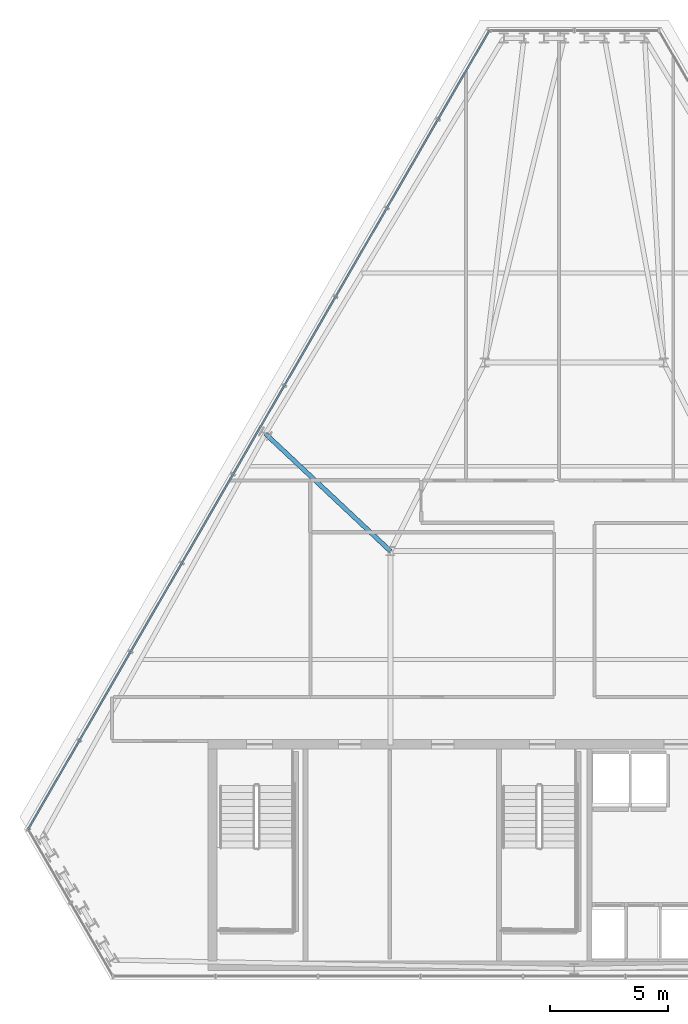
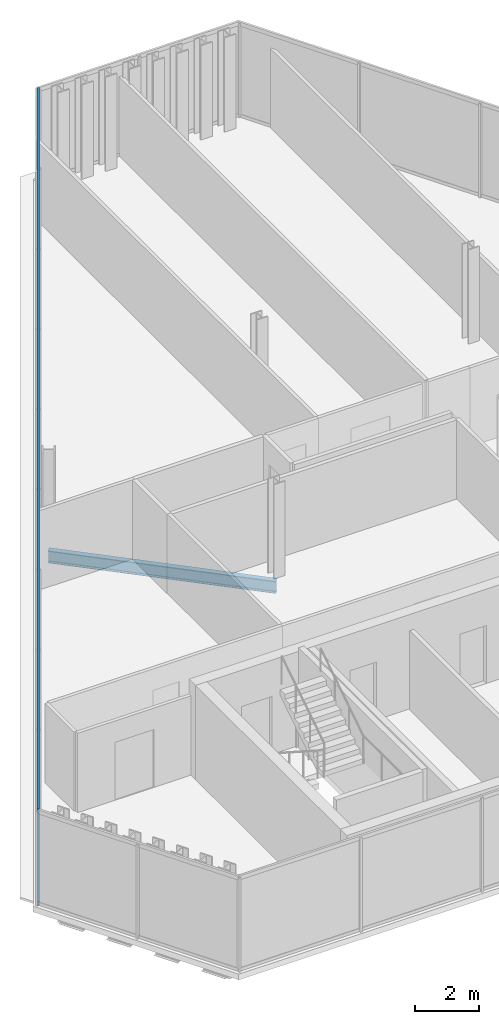
# One storey, part 11 of 29: 2 members, 1 beam, 1 element without a shape of its own.
"""IFC4 building model written with IfcOpenShell, lengths in metres."""

from ifc_helpers import new_model, si_unit, direction, frame, origin, origin_2d, place, context, subcontext, project, spatial, hollow_rectangle, i_section, extrude, material, layer, layer_set, material_profile, profile_set, type_object, element, aggregate, save


model = new_model("IFC4")

# Units and contexts
model_context = context("Model", 3, precision=1e-05, world=origin(), true_north=direction((0.0, 1.0)))
body_context = subcontext(model_context, "Body", "Model", "MODEL_VIEW")
ifc_project = project(units=[si_unit("LENGTHUNIT", "METRE"), si_unit("AREAUNIT", "SQUARE_METRE"), si_unit("VOLUMEUNIT", "CUBIC_METRE"), si_unit("PLANEANGLEUNIT", "RADIAN"), si_unit("MASSUNIT", "GRAM", prefix="KILO")], contexts=[model_context])

# Site, building, storey
site_placement = place(None, origin())
site = spatial("IfcSite", under=ifc_project, at=site_placement, CompositionType="ELEMENT")
building_placement = place(site_placement, origin())
building = spatial("IfcBuilding", under=site, at=building_placement, Name="Ndaravel Arena Tower", CompositionType="ELEMENT")
storey_placement = place(building_placement, frame((0.0, 0.0, 229.39990234375)))
storey = spatial("IfcBuildingStorey", under=building, at=storey_placement, Name="L55", CompositionType="ELEMENT", Elevation=229.39990234375)

# Beam
ifc_material_1 = material(Name="Steel S355", Category="steel")
ifc_material_profile_1 = material_profile(ifc_material_1, i_section(OverallWidth=0.19140625, OverallDepth=0.4599609375, WebThickness=0.010009765625, FlangeThickness=0.01611328125, FilletRadius=0.01025390625, at=origin_2d()), Name="UB 457x191x82")
ifc_profile_set_1 = profile_set([ifc_material_profile_1], Name="Steel S355")
beam_type = type_object("IfcBeamType", Name="BM-GIRD-UB457", PredefinedType="BEAM", material=ifc_profile_set_1)
beam_placement = place(storey_placement, frame((28.89306640625, 28.181884765625, -0.449951171875), z_axis=(0.729075765439, -0.684432997633, 0.0), x_axis=(0.684432997633, 0.729075765439, 0.0)))
element("IfcBeam", 1, at=beam_placement, inside=storey, type_object=beam_type, Name="L55 Radial Floor Girder FG-19", PredefinedType="BEAM", context=body_context, shape_type="SweptSolid", body=[
    extrude(i_section(OverallWidth=0.19140625, OverallDepth=0.4599609375, WebThickness=0.010009765625, FlangeThickness=0.01611328125, FilletRadius=0.01025390625, at=origin_2d()), origin(), (0.0, 0.0, 1.0), 7.27880859375),
])

# Curtain wall, members
ifc_material_2 = material(Name="Aluminium", Category="aluminium")
ifc_layer = layer(ifc_material_2, 0.179931640625)
ifc_layer_set = layer_set([ifc_layer], Name="Aluminium")
curtain_wall_type = type_object("IfcCurtainWallType", Name="CW-SYS-03", PredefinedType="NOTDEFINED", material=ifc_layer_set)
curtain_wall_placement = place(storey_placement, origin())
curtain_wall = element("IfcCurtainWall", 2, at=curtain_wall_placement, inside=storey, type_object=curtain_wall_type, Name="L55 Faceted Crystal Curtain Wall CW-L55-E05", PredefinedType="NOTDEFINED")
ifc_material_3 = material(Name="Aluminium", Category="aluminium")
ifc_material_profile_2 = material_profile(ifc_material_3, hollow_rectangle(XDim=0.074951171875, YDim=0.14990234375, WallThickness=0.00390625, at=origin_2d()), Name="CW TRANSOM 75x150x4")
ifc_profile_set_2 = profile_set([ifc_material_profile_2], Name="Aluminium")
member_type = type_object("IfcMemberType", Name="MEM-CW-TRN150", PredefinedType="USERDEFINED", material=ifc_profile_set_2)
member_1_placement = place(storey_placement, frame((38.400390625, 45.288818359375, 0.0400390625), z_axis=(-0.500000184703, -0.866025297146, 0.0), x_axis=(0.866025297146, -0.500000184703, 0.0)))
member_1 = element("IfcMember", 3, at=member_1_placement, type_object=member_type, Name="CW-L55-E05 Transom 01", ObjectType="TRANSOM", PredefinedType="USERDEFINED", context=body_context, shape_type="SweptSolid", body=[
    extrude(hollow_rectangle(XDim=0.074951171875, YDim=0.14990234375, WallThickness=0.00390625, at=origin_2d()), origin(), (0.0, 0.0, 1.0), 39.13720703125),
])
member_2_placement = place(storey_placement, frame((38.400390625, 45.288818359375, 3.5400390625), z_axis=(-0.500000184703, -0.866025297146, 0.0), x_axis=(0.866025297146, -0.500000184703, 0.0)))
member_2 = element("IfcMember", 4, at=member_2_placement, type_object=member_type, Name="CW-L55-E05 Transom 02", ObjectType="TRANSOM", PredefinedType="USERDEFINED", context=body_context, shape_type="SweptSolid", body=[
    extrude(hollow_rectangle(XDim=0.074951171875, YDim=0.14990234375, WallThickness=0.00390625, at=origin_2d()), origin(), (0.0, 0.0, 1.0), 39.13720703125),
])
aggregate(curtain_wall, [member_1, member_2])

save(model, "model.ifc")
